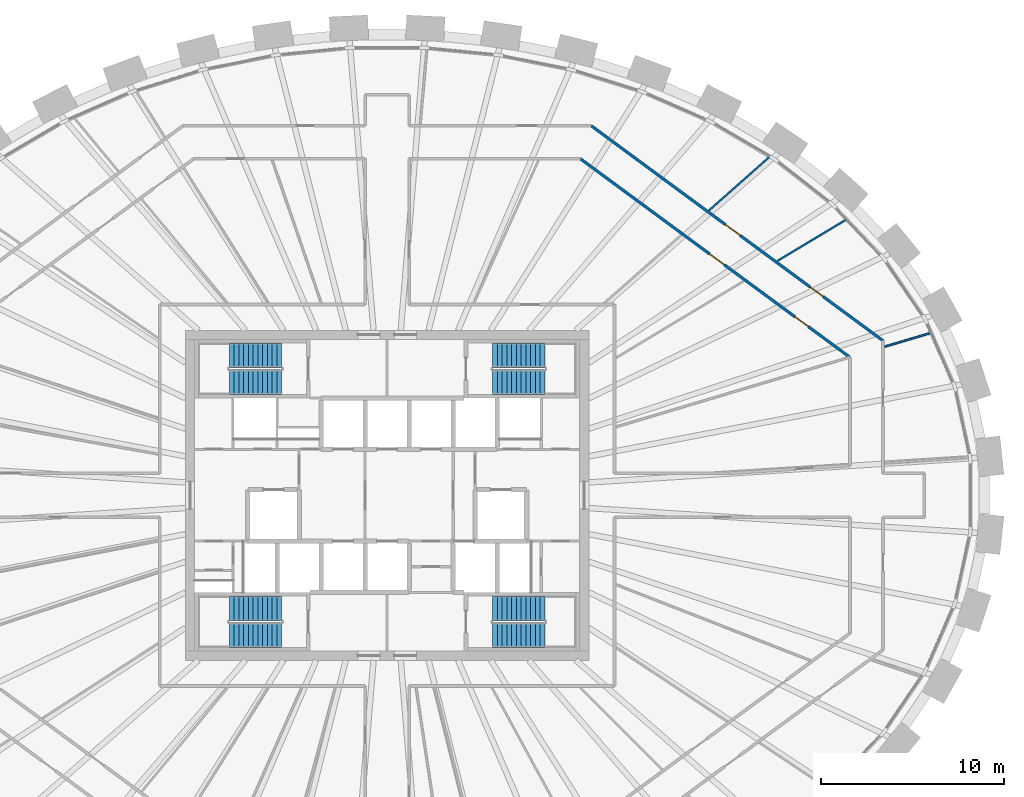
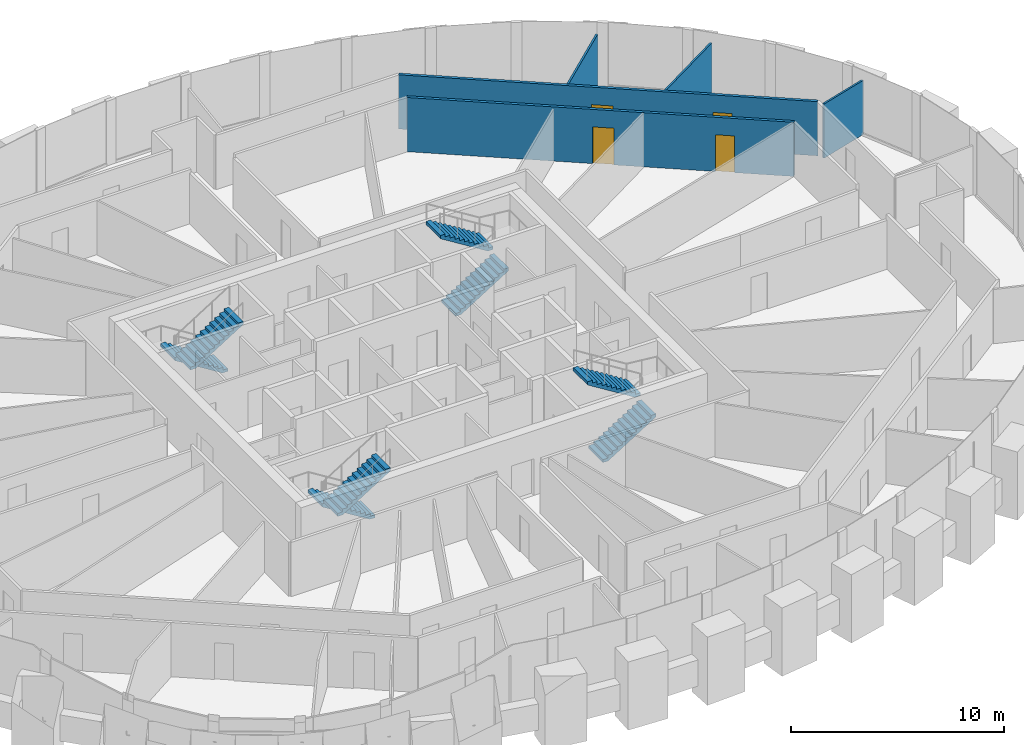
# One storey, part 11 of 12: 8 stair flights, 5 walls, 4 doors, 4 openings, 4 elements without a shape of their own.
"""IFC4 building model written with IfcOpenShell, lengths in metres."""

from ifc_helpers import new_model, si_unit, direction, frame, frame_2d, origin, place, context, subcontext, project, spatial, polyline, rectangle, outline, extrude, source, transform, mapped, material, layer, layer_set, type_object, element, fill, aggregate, save


model = new_model("IFC4")

# Units and contexts
model_context = context("Model", 3, precision=1e-05, world=origin(), true_north=direction((0.0, 1.0)))
body_context = subcontext(model_context, "Body", "Model", "MODEL_VIEW")
ifc_project = project(units=[si_unit("LENGTHUNIT", "METRE"), si_unit("AREAUNIT", "SQUARE_METRE"), si_unit("VOLUMEUNIT", "CUBIC_METRE"), si_unit("PLANEANGLEUNIT", "RADIAN"), si_unit("MASSUNIT", "GRAM", prefix="KILO")], contexts=[model_context])

# Site, building, storey
site_placement = place(None, origin())
site = spatial("IfcSite", under=ifc_project, at=site_placement, CompositionType="ELEMENT")
building_placement = place(site_placement, origin())
building = spatial("IfcBuilding", under=site, at=building_placement, Name="Embergate Tower", CompositionType="ELEMENT")
storey_placement = place(building_placement, frame((0.0, 0.0, 261.699951171875)))
storey = spatial("IfcBuildingStorey", under=building, at=storey_placement, Name="L60", CompositionType="ELEMENT", Elevation=261.699951171875)

# Wall
ifc_material_1 = material(Name="Partition dry-lined 100")
ifc_layer_1 = layer(ifc_material_1, 0.10009765625)
ifc_layer_set_1 = layer_set([ifc_layer_1], Name="Partition dry-lined 100")
wall_type_1 = type_object("IfcWallType", Name="Partition dry-lined 100", PredefinedType="PARTITIONING", material=ifc_layer_set_1)
shared_shape_1 = source(origin(), body_context, "Body", "SweptSolid", [
    extrude(rectangle(XDim=4.441162109375, YDim=0.10009765625, at=frame_2d((2.220703125, 0.0))), origin(), (0.0, 0.0, 1.0), 3.0),
])
wall_1_placement = place(storey_placement, frame((17.550048828125, 15.532958984375, 0.0), z_axis=(0.0, 0.0, 1.0), x_axis=(0.748890576849, 0.662693672753, 0.0)))
element("IfcWall", 1, at=wall_1_placement, inside=storey, type_object=wall_type_1, Name="IP-1 wall", PredefinedType="PARTITIONING", context=body_context, shape_type="MappedRepresentation", body=[
    mapped(shared_shape_1, transform((0.0, 0.0, 0.0))),
])

# Wall, openings, doors
ifc_material_2 = material(Name="Corridor wall dry-lined 150")
ifc_layer_2 = layer(ifc_material_2, 0.14990234375)
ifc_layer_set_2 = layer_set([ifc_layer_2], Name="Corridor wall dry-lined 150")
wall_type_2 = type_object("IfcWallType", Name="Corridor wall dry-lined 150", PredefinedType="PARTITIONING", material=ifc_layer_set_2)
shared_shape_2 = source(origin(), body_context, "Body", "SweptSolid", [
    extrude(rectangle(XDim=19.77294921875, YDim=0.14990234375, at=frame_2d((9.886474609375, 0.0))), origin(), (0.0, 0.0, 1.0), 3.10009765625),
])
wall_2_placement = place(storey_placement, frame((27.0458984375, 8.431884765625, 0.0), z_axis=(0.0, 0.0, 1.0), x_axis=(-0.805138380898, 0.593086998344, 0.0)))
wall_2 = element("IfcWall", 2, at=wall_2_placement, inside=storey, type_object=wall_type_2, Name="IP-2 wall", PredefinedType="PARTITIONING", context=body_context, shape_type="MappedRepresentation", body=[
    mapped(shared_shape_2, transform((0.0, 0.0, 0.0))),
])
shared_shape_3 = source(origin(), body_context, "Body", "SweptSolid", [
    extrude(rectangle(XDim=0.89990234375, YDim=2.10009765625, at=frame_2d((0.449951171875, 1.050048828125))), frame((0.0, 0.0849609375, 0.0), z_axis=(0.0, -1.0, 0.0), x_axis=(1.0, 0.0, 0.0)), (0.0, 0.0, 1.0), 0.169921875),
])
opening_1_placement = place(wall_2_placement, frame((4.04248046875, 0.0, 0.0)))
opening_1 = element("IfcOpeningElement", 3, at=opening_1_placement, cuts=wall_2, Name="Opening IF-1c", PredefinedType="OPENING", context=body_context, shape_type="MappedRepresentation", body=[
    mapped(shared_shape_3, transform((0.0, 0.0, 0.0))),
])
shared_shape_4 = source(origin(), body_context, "Body", "SweptSolid", [
    extrude(rectangle(XDim=1.0, YDim=2.10009765625, at=frame_2d((0.5, 1.050048828125))), frame((0.0, 0.0849609375, 0.0), z_axis=(0.0, -1.0, 0.0), x_axis=(1.0, 0.0, 0.0)), (0.0, 0.0, 1.0), 0.169921875),
])
opening_2_placement = place(wall_2_placement, frame((9.669677734375, 0.0, 0.0)))
opening_2 = element("IfcOpeningElement", 4, at=opening_2_placement, cuts=wall_2, Name="Opening ID-2", PredefinedType="OPENING", context=body_context, shape_type="MappedRepresentation", body=[
    mapped(shared_shape_4, transform((0.0, 0.0, 0.0))),
])
ifc_material_3 = material(Name="Escape fire door 900")
door_type_1 = type_object("IfcDoorType", Name="Escape fire door 900", OperationType="SINGLE_SWING_LEFT", PredefinedType="DOOR", material=ifc_material_3)
shared_shape_5 = source(origin(), body_context, "Body", "SweptSolid", [
    extrude(rectangle(XDim=0.89990234375, YDim=2.10009765625, at=frame_2d((0.449951171875, 1.050048828125))), frame((0.0, 0.02490234375, 0.0), z_axis=(0.0, -1.0, 0.0), x_axis=(1.0, 0.0, 0.0)), (0.0, 0.0, 1.0), 0.050048828125),
])
door_1_placement = place(opening_1_placement, origin())
door_1 = element("IfcDoor", 5, at=door_1_placement, inside=storey, type_object=door_type_1, Name="IF-1 door", OperationType="SINGLE_SWING_LEFT", OverallHeight=2.10009765625, OverallWidth=0.89990234375, PredefinedType="DOOR", context=body_context, shape_type="MappedRepresentation", body=[
    mapped(shared_shape_5, transform((0.0, 0.0, 0.0))),
])
fill(opening_1, door_1)
ifc_material_4 = material(Name="Interior door 1000")
door_type_2 = type_object("IfcDoorType", Name="Interior door 1000", OperationType="SINGLE_SWING_LEFT", PredefinedType="DOOR", material=ifc_material_4)
shared_shape_6 = source(origin(), body_context, "Body", "SweptSolid", [
    extrude(rectangle(XDim=1.0, YDim=2.10009765625, at=frame_2d((0.5, 1.050048828125))), frame((0.0, 0.02490234375, 0.0), z_axis=(0.0, -1.0, 0.0), x_axis=(1.0, 0.0, 0.0)), (0.0, 0.0, 1.0), 0.050048828125),
])
door_2_placement = place(opening_2_placement, origin())
door_2 = element("IfcDoor", 6, at=door_2_placement, inside=storey, type_object=door_type_2, Name="ID-2 door", OperationType="SINGLE_SWING_LEFT", OverallHeight=2.10009765625, OverallWidth=1.0, PredefinedType="DOOR", context=body_context, shape_type="MappedRepresentation", body=[
    mapped(shared_shape_6, transform((0.0, 0.0, 0.0))),
])
fill(opening_2, door_2)

shared_shape_7 = source(origin(), body_context, "Body", "SweptSolid", [
    extrude(rectangle(XDim=18.254638671875, YDim=0.14990234375, at=frame_2d((9.12744140625, 0.0))), origin(), (0.0, 0.0, 1.0), 3.10009765625),
])
wall_3_placement = place(storey_placement, frame((10.533935546875, 18.35888671875, 0.0), z_axis=(0.0, 0.0, 1.0), x_axis=(0.80516507409, -0.593050759603, 0.0)))
wall_3 = element("IfcWall", 7, at=wall_3_placement, inside=storey, type_object=wall_type_2, Name="IP-2 wall", PredefinedType="PARTITIONING", context=body_context, shape_type="MappedRepresentation", body=[
    mapped(shared_shape_7, transform((0.0, 0.0, 0.0))),
])
opening_3_placement = place(wall_3_placement, frame((14.544677734375, 0.0, 0.0)))
opening_3 = element("IfcOpeningElement", 8, at=opening_3_placement, cuts=wall_3, Name="Opening IF-1c", PredefinedType="OPENING", context=body_context, shape_type="MappedRepresentation", body=[
    mapped(shared_shape_3, transform((0.0, 0.0, 0.0))),
])
opening_4_placement = place(wall_3_placement, frame((8.76171875, 0.0, 0.0)))
opening_4 = element("IfcOpeningElement", 9, at=opening_4_placement, cuts=wall_3, Name="Opening ID-2", PredefinedType="OPENING", context=body_context, shape_type="MappedRepresentation", body=[
    mapped(shared_shape_4, transform((0.0, 0.0, 0.0))),
])
door_3_placement = place(opening_3_placement, origin())
door_3 = element("IfcDoor", 10, at=door_3_placement, inside=storey, type_object=door_type_1, Name="IF-1 door", OperationType="SINGLE_SWING_LEFT", OverallHeight=2.10009765625, OverallWidth=0.89990234375, PredefinedType="DOOR", context=body_context, shape_type="MappedRepresentation", body=[
    mapped(shared_shape_5, transform((0.0, 0.0, 0.0))),
])
fill(opening_3, door_3)
door_4_placement = place(opening_4_placement, origin())
door_4 = element("IfcDoor", 11, at=door_4_placement, inside=storey, type_object=door_type_2, Name="ID-2 door", OperationType="SINGLE_SWING_RIGHT", OverallHeight=2.10009765625, OverallWidth=1.0, PredefinedType="DOOR", context=body_context, shape_type="MappedRepresentation", body=[
    mapped(shared_shape_6, transform((0.0, 0.0, 0.0))),
])
fill(opening_4, door_4)

# Walls
shared_shape_8 = source(origin(), body_context, "Body", "SweptSolid", [
    extrude(rectangle(XDim=2.689453125, YDim=0.10009765625, at=frame_2d((1.3447265625, 0.0))), origin(), (0.0, 0.0, 1.0), 3.10009765625),
])
wall_4_placement = place(storey_placement, frame((27.135009765625, 8.10107421875, 0.0), z_axis=(0.0, 0.0, 1.0), x_axis=(0.958138021402, 0.286306709569, 0.0)))
element("IfcWall", 12, at=wall_4_placement, inside=storey, type_object=wall_type_1, Name="IP-1 wall", PredefinedType="PARTITIONING", context=body_context, shape_type="MappedRepresentation", body=[
    mapped(shared_shape_8, transform((0.0, 0.0, 0.0))),
])
shared_shape_9 = source(origin(), body_context, "Body", "SweptSolid", [
    extrude(rectangle(XDim=4.44287109375, YDim=0.10009765625, at=frame_2d((2.221435546875, 0.0))), origin(), (0.0, 0.0, 1.0), 3.10009765625),
])
wall_5_placement = place(storey_placement, frame((21.29296875, 12.787109375, 0.0), z_axis=(0.0, 0.0, 1.0), x_axis=(0.857352282665, 0.51473008792, 0.0)))
element("IfcWall", 13, at=wall_5_placement, inside=storey, type_object=wall_type_1, Name="IP-1 wall", PredefinedType="PARTITIONING", context=body_context, shape_type="MappedRepresentation", body=[
    mapped(shared_shape_9, transform((0.0, 0.0, 0.0))),
])

# Stair, stair flights
ifc_material_5 = material(Name="Exit stair")
stair_type = type_object("IfcStairType", Name="Exit stair", PredefinedType="HALF_TURN_STAIR", material=ifc_material_5)
stair_1_placement = place(storey_placement, origin())
stair_1 = element("IfcStair", 14, at=stair_1_placement, inside=storey, type_object=stair_type, Name="L60 Exit stair 1", PredefinedType="HALF_TURN_STAIR")
ifc_material_6 = material(Name="Concrete C40", Category="concrete")
stair_flight_type = type_object("IfcStairFlightType", Name="Stair flight reinforced concrete", PredefinedType="STRAIGHT", material=ifc_material_6)
shared_shape_10 = source(origin(), body_context, "Body", "SweptSolid", [
    extrude(outline(polyline([(0.0, 0.0), (0.0, 0.16259765625), (0.260009765625, 0.16259765625), (0.260009765625, 0.324951171875), (0.52001953125, 0.324951171875), (0.52001953125, 0.487548828125), (0.780029296875, 0.487548828125), (0.780029296875, 0.64990234375), (1.0400390625, 0.64990234375), (1.0400390625, 0.8125), (1.300048828125, 0.8125), (1.300048828125, 0.97509765625), (1.56005859375, 0.97509765625), (1.56005859375, 1.137451171875), (1.820068359375, 1.137451171875), (1.820068359375, 1.300048828125), (2.080078125, 1.300048828125), (2.080078125, 1.46240234375), (2.340087890625, 1.46240234375), (2.340087890625, 1.625), (2.60009765625, 1.625), (2.60009765625, 1.78759765625), (2.860107421875, 1.78759765625), (2.860107421875, 1.949951171875), (2.860107421875, 1.61083984375), (0.28271484375, 0.0), (0.0, 0.0)])), frame((0.0, 0.675048828125, 0.0), z_axis=(0.0, -1.0, 0.0), x_axis=(1.0, 0.0, 0.0)), (0.0, 0.0, 1.0), 1.35009765625),
])
stair_flight_1_placement = place(storey_placement, frame((-5.75, 7.625, 0.0), z_axis=(0.0, 0.0, 1.0), x_axis=(-1.0, 0.0, 0.0)))
stair_flight_1 = element("IfcStairFlight", 15, at=stair_flight_1_placement, type_object=stair_flight_type, Name="ST1 flight 1", NumberOfRisers=12, NumberOfTreads=11, PredefinedType="STRAIGHT", RiserHeight=0.1625, TreadLength=0.26, context=body_context, shape_type="MappedRepresentation", body=[
    mapped(shared_shape_10, transform((0.0, 0.0, 0.0))),
])
stair_flight_2_placement = place(storey_placement, frame((-8.610107421875, 6.175048828125, 1.949951171875), z_axis=(0.0, 0.0, 1.0), x_axis=(1.0, 0.0, 0.0)))
stair_flight_2 = element("IfcStairFlight", 16, at=stair_flight_2_placement, type_object=stair_flight_type, Name="ST1 flight 2", NumberOfRisers=12, NumberOfTreads=11, PredefinedType="STRAIGHT", RiserHeight=0.1625, TreadLength=0.26, context=body_context, shape_type="MappedRepresentation", body=[
    mapped(shared_shape_10, transform((0.0, 0.0, 0.0))),
])
aggregate(stair_1, [stair_flight_1, stair_flight_2])

stair_2_placement = place(storey_placement, origin())
stair_2 = element("IfcStair", 17, at=stair_2_placement, inside=storey, type_object=stair_type, Name="L60 Exit stair 2", PredefinedType="HALF_TURN_STAIR")
stair_flight_3_placement = place(storey_placement, frame((5.75, 6.175048828125, 0.0), z_axis=(0.0, 0.0, 1.0), x_axis=(1.0, 0.0, 0.0)))
stair_flight_3 = element("IfcStairFlight", 18, at=stair_flight_3_placement, type_object=stair_flight_type, Name="ST2 flight 1", NumberOfRisers=12, NumberOfTreads=11, PredefinedType="STRAIGHT", RiserHeight=0.1625, TreadLength=0.26, context=body_context, shape_type="MappedRepresentation", body=[
    mapped(shared_shape_10, transform((0.0, 0.0, 0.0))),
])
stair_flight_4_placement = place(storey_placement, frame((8.610107421875, 7.625, 1.949951171875), z_axis=(0.0, 0.0, 1.0), x_axis=(-1.0, 0.0, 0.0)))
stair_flight_4 = element("IfcStairFlight", 19, at=stair_flight_4_placement, type_object=stair_flight_type, Name="ST2 flight 2", NumberOfRisers=12, NumberOfTreads=11, PredefinedType="STRAIGHT", RiserHeight=0.1625, TreadLength=0.26, context=body_context, shape_type="MappedRepresentation", body=[
    mapped(shared_shape_10, transform((0.0, 0.0, 0.0))),
])
aggregate(stair_2, [stair_flight_3, stair_flight_4])

stair_3_placement = place(storey_placement, origin())
stair_3 = element("IfcStair", 20, at=stair_3_placement, inside=storey, type_object=stair_type, Name="L60 Exit stair 3", PredefinedType="HALF_TURN_STAIR")
stair_flight_5_placement = place(storey_placement, frame((-5.75, -6.175048828125, 0.0), z_axis=(0.0, 0.0, 1.0), x_axis=(-1.0, 0.0, 0.0)))
stair_flight_5 = element("IfcStairFlight", 21, at=stair_flight_5_placement, type_object=stair_flight_type, Name="ST3 flight 1", NumberOfRisers=12, NumberOfTreads=11, PredefinedType="STRAIGHT", RiserHeight=0.1625, TreadLength=0.26, context=body_context, shape_type="MappedRepresentation", body=[
    mapped(shared_shape_10, transform((0.0, 0.0, 0.0))),
])
stair_flight_6_placement = place(storey_placement, frame((-8.610107421875, -7.625, 1.949951171875), z_axis=(0.0, 0.0, 1.0), x_axis=(1.0, 0.0, 0.0)))
stair_flight_6 = element("IfcStairFlight", 22, at=stair_flight_6_placement, type_object=stair_flight_type, Name="ST3 flight 2", NumberOfRisers=12, NumberOfTreads=11, PredefinedType="STRAIGHT", RiserHeight=0.1625, TreadLength=0.26, context=body_context, shape_type="MappedRepresentation", body=[
    mapped(shared_shape_10, transform((0.0, 0.0, 0.0))),
])
aggregate(stair_3, [stair_flight_5, stair_flight_6])

stair_4_placement = place(storey_placement, origin())
stair_4 = element("IfcStair", 23, at=stair_4_placement, inside=storey, type_object=stair_type, Name="L60 Exit stair 4", PredefinedType="HALF_TURN_STAIR")
stair_flight_7_placement = place(storey_placement, frame((5.75, -7.625, 0.0), z_axis=(0.0, 0.0, 1.0), x_axis=(1.0, 0.0, 0.0)))
stair_flight_7 = element("IfcStairFlight", 24, at=stair_flight_7_placement, type_object=stair_flight_type, Name="ST4 flight 1", NumberOfRisers=12, NumberOfTreads=11, PredefinedType="STRAIGHT", RiserHeight=0.1625, TreadLength=0.26, context=body_context, shape_type="MappedRepresentation", body=[
    mapped(shared_shape_10, transform((0.0, 0.0, 0.0))),
])
stair_flight_8_placement = place(storey_placement, frame((8.610107421875, -6.175048828125, 1.949951171875), z_axis=(0.0, 0.0, 1.0), x_axis=(-1.0, 0.0, 0.0)))
stair_flight_8 = element("IfcStairFlight", 25, at=stair_flight_8_placement, type_object=stair_flight_type, Name="ST4 flight 2", NumberOfRisers=12, NumberOfTreads=11, PredefinedType="STRAIGHT", RiserHeight=0.1625, TreadLength=0.26, context=body_context, shape_type="MappedRepresentation", body=[
    mapped(shared_shape_10, transform((0.0, 0.0, 0.0))),
])
aggregate(stair_4, [stair_flight_7, stair_flight_8])

save(model, "model.ifc")
